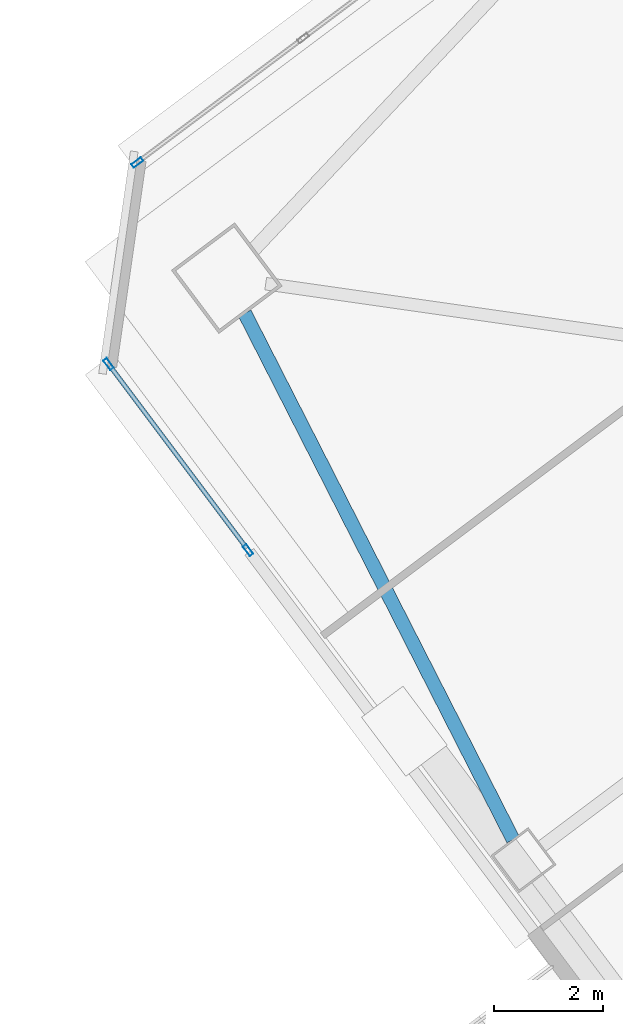
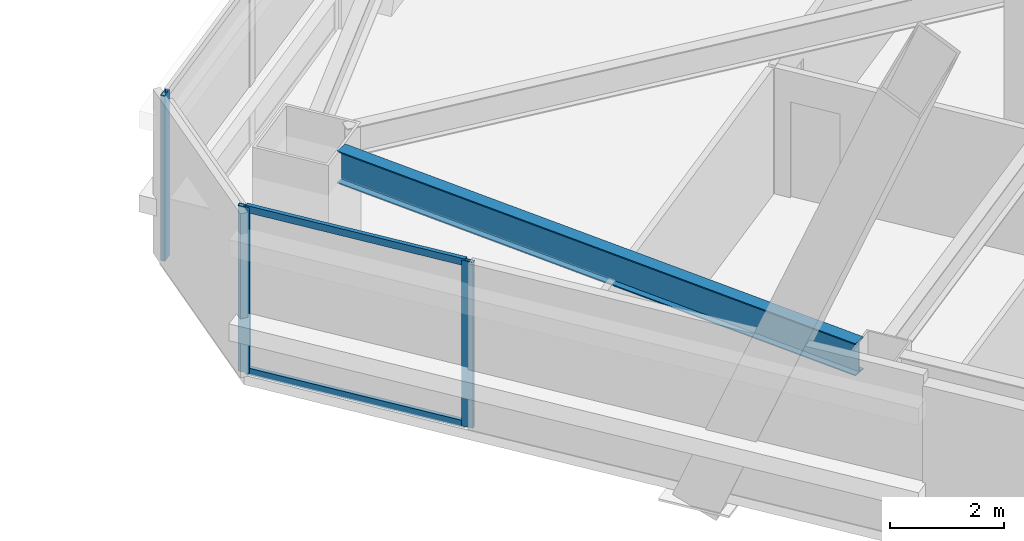
# One storey, part 26 of 54: 5 members, 1 beam, 2 elements without a shape of their own.
"""IFC4 building model written with IfcOpenShell, lengths in metres."""

from ifc_helpers import new_model, si_unit, direction, frame, origin, origin_2d, place, context, subcontext, project, spatial, hollow_rectangle, i_section, extrude, material, material_profile, profile_set, type_object, element, aggregate, save


model = new_model("IFC4")

# Units and contexts
model_context = context("Model", 3, precision=1e-05, world=origin(), true_north=direction((0.0, 1.0)))
body_context = subcontext(model_context, "Body", "Model", "MODEL_VIEW")
ifc_project = project(units=[si_unit("LENGTHUNIT", "METRE"), si_unit("AREAUNIT", "SQUARE_METRE"), si_unit("VOLUMEUNIT", "CUBIC_METRE"), si_unit("PLANEANGLEUNIT", "RADIAN"), si_unit("MASSUNIT", "GRAM", prefix="KILO")], contexts=[model_context])

# Site, building, storey
site_placement = place(None, origin())
site = spatial("IfcSite", under=ifc_project, at=site_placement, CompositionType="ELEMENT")
building_placement = place(site_placement, origin())
building = spatial("IfcBuilding", under=site, at=building_placement, Name="Tashvorn Skyway Center", CompositionType="ELEMENT")
storey_placement = place(building_placement, frame((0.0, 0.0, 88.5)))
storey = spatial("IfcBuildingStorey", under=building, at=storey_placement, Name="L23", CompositionType="ELEMENT", Elevation=88.5)

# Beam
ifc_material_1 = material(Name="Steel ASTM A992 Grade 50", Category="steel")
ifc_material_profile_1 = material_profile(ifc_material_1, i_section(OverallWidth=0.256103515625, OverallDepth=0.693115234375, WebThickness=0.014404296875, FlangeThickness=0.023681640625, at=origin_2d()), Name="W27X114")
ifc_profile_set_1 = profile_set([ifc_material_profile_1], Name="Steel ASTM A992 Grade 50")
beam_type = type_object("IfcBeamType", Name="BM-SPANDREL-W27X114", PredefinedType="SPANDREL", material=ifc_profile_set_1)
beam_placement = place(storey_placement, frame((90.2470703125, 34.798583984375, 3.00341796875), z_axis=(0.454210938961, -0.890894170442, 0.0), x_axis=(0.890894170442, 0.454210938961, 0.0)))
element("IfcBeam", 1, at=beam_placement, inside=storey, type_object=beam_type, Name="Tower 2 L23 Spandrel Beam 10", PredefinedType="SPANDREL", context=body_context, shape_type="SweptSolid", body=[
    extrude(i_section(OverallWidth=0.256103515625, OverallDepth=0.693115234375, WebThickness=0.014404296875, FlangeThickness=0.023681640625, at=origin_2d()), origin(), (0.0, 0.0, 1.0), 10.836669921875),
])

# Curtain wall, members
ifc_material_2 = material(Name="Thermally broken bronze-anodized aluminium 6063-T6", Category="aluminium")
curtain_wall_type = type_object("IfcCurtainWallType", Name="CW-CW-Z2", PredefinedType="NOTDEFINED", material=ifc_material_2)
curtain_wall_1_placement = place(storey_placement, origin())
curtain_wall_1 = element("IfcCurtainWall", 2, at=curtain_wall_1_placement, inside=storey, type_object=curtain_wall_type, Name="Tower 2 L23 West Curtain Wall R Glazing Group 1", PredefinedType="NOTDEFINED")
ifc_material_profile_2 = material_profile(ifc_material_2, hollow_rectangle(XDim=0.080078125, YDim=0.219970703125, WallThickness=0.0048828125, at=origin_2d()), Name="ALU-MULL-80x220")
ifc_profile_set_2 = profile_set([ifc_material_profile_2], Name="Thermally broken bronze-anodized aluminium 6063-T6")
member_type_1 = type_object("IfcMemberType", Name="CWM-CW-Z2", PredefinedType="MULLION", material=ifc_profile_set_2)
member_1_placement = place(storey_placement, frame((90.31005859375, 30.453369140625, 0.0), z_axis=(0.0, 0.0, 1.0), x_axis=(-0.800002762832, -0.599996316206, 0.0)))
member_1 = element("IfcMember", 3, at=member_1_placement, type_object=member_type_1, Name="CW-Z2 mullion 1", PredefinedType="MULLION", context=body_context, shape_type="SweptSolid", body=[
    extrude(hollow_rectangle(XDim=0.080078125, YDim=0.219970703125, WallThickness=0.0048828125, at=origin_2d()), origin(), (0.0, 0.0, 1.0), 3.550048828125),
])
member_2_placement = place(storey_placement, frame((87.751953125, 33.864013671875, 0.0), z_axis=(0.0, 0.0, 1.0), x_axis=(-0.800002762832, -0.599996316206, 0.0)))
member_2 = element("IfcMember", 4, at=member_2_placement, type_object=member_type_1, Name="CW-Z2 mullion 2", PredefinedType="MULLION", context=body_context, shape_type="SweptSolid", body=[
    extrude(hollow_rectangle(XDim=0.080078125, YDim=0.219970703125, WallThickness=0.0048828125, at=origin_2d()), origin(), (0.0, 0.0, 1.0), 3.550048828125),
])

# Curtain wall, member
curtain_wall_2_placement = place(storey_placement, origin())
curtain_wall_2 = element("IfcCurtainWall", 5, at=curtain_wall_2_placement, inside=storey, type_object=curtain_wall_type, Name="Tower 2 L23 North Unitised Curtain Wall Glazing Group 1", PredefinedType="NOTDEFINED")
member_3_placement = place(storey_placement, frame((88.280029296875, 37.56005859375, 0.0), z_axis=(0.0, 0.0, 1.0), x_axis=(-0.600000000002, 0.799999999998, 0.0)))
member_3 = element("IfcMember", 6, at=member_3_placement, type_object=member_type_1, Name="CW-Z2 mullion 1", PredefinedType="MULLION", context=body_context, shape_type="SweptSolid", body=[
    extrude(hollow_rectangle(XDim=0.080078125, YDim=0.219970703125, WallThickness=0.0048828125, at=origin_2d()), origin(), (0.0, 0.0, 1.0), 3.550048828125),
])
aggregate(curtain_wall_2, [member_3])

# Member
ifc_material_profile_3 = material_profile(ifc_material_2, hollow_rectangle(XDim=0.080078125, YDim=0.14990234375, WallThickness=0.00439453125, at=origin_2d()), Name="ALU-TRAN-80x150")
ifc_profile_set_3 = profile_set([ifc_material_profile_3], Name="Thermally broken bronze-anodized aluminium 6063-T6")
member_type_2 = type_object("IfcMemberType", Name="CWT-CW-Z2", PredefinedType="USERDEFINED", material=ifc_profile_set_3)
member_4_placement = place(storey_placement, frame((90.285888671875, 30.4853515625, 0.0400390625), z_axis=(-0.6, 0.8, 0.0), x_axis=(-0.8, -0.6, 0.0)))
member_4 = element("IfcMember", 7, at=member_4_placement, type_object=member_type_2, Name="CW-Z2 transom 1.1", ObjectType="TRANSOM", PredefinedType="USERDEFINED", context=body_context, shape_type="SweptSolid", body=[
    extrude(hollow_rectangle(XDim=0.080078125, YDim=0.14990234375, WallThickness=0.00439453125, at=origin_2d()), origin(), (0.0, 0.0, 1.0), 4.183349609375),
])

member_5_placement = place(storey_placement, frame((90.285888671875, 30.4853515625, 3.510009765625), z_axis=(-0.6, 0.8, 0.0), x_axis=(-0.8, -0.6, 0.0)))
member_5 = element("IfcMember", 8, at=member_5_placement, type_object=member_type_2, Name="CW-Z2 transom 1.2", ObjectType="TRANSOM", PredefinedType="USERDEFINED", context=body_context, shape_type="SweptSolid", body=[
    extrude(hollow_rectangle(XDim=0.080078125, YDim=0.14990234375, WallThickness=0.00439453125, at=origin_2d()), origin(), (0.0, 0.0, 1.0), 4.183349609375),
])

aggregate(curtain_wall_1, [member_1, member_2, member_4, member_5])

save(model, "model.ifc")
